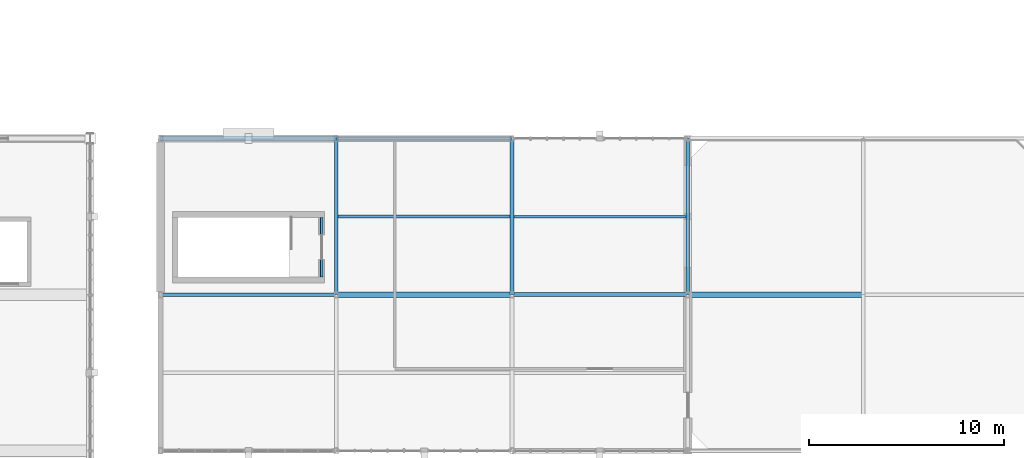
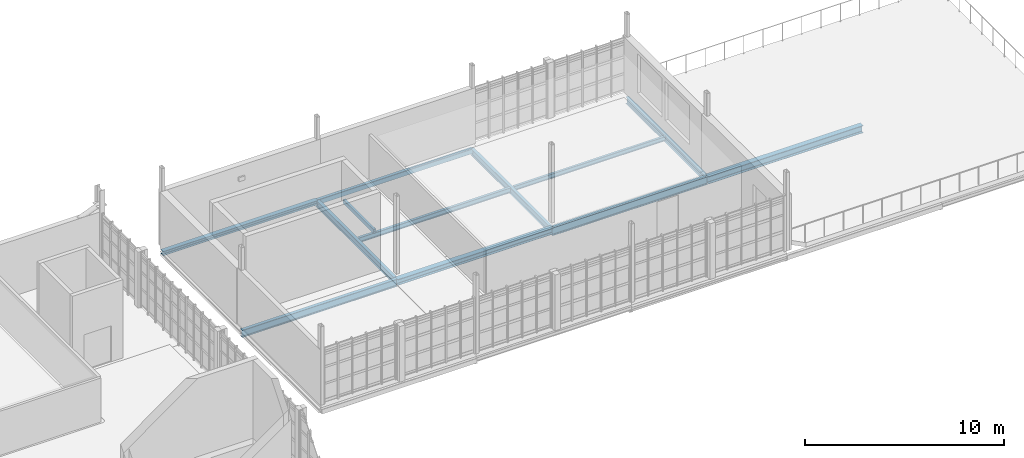
# One storey, part 28 of 128: 12 beams.
"""IFC4 building model written with IfcOpenShell, lengths in metres."""

from ifc_helpers import new_model, si_unit, direction, frame, origin, origin_2d, place, context, subcontext, project, spatial, hollow_rectangle, i_section, extrude, material, material_profile, profile_set, type_object, element, save


model = new_model("IFC4")

# Units and contexts
model_context = context("Model", 3, precision=1e-05, world=origin(), true_north=direction((0.0, 1.0)))
body_context = subcontext(model_context, "Body", "Model", "MODEL_VIEW")
ifc_project = project(units=[si_unit("LENGTHUNIT", "METRE"), si_unit("AREAUNIT", "SQUARE_METRE"), si_unit("VOLUMEUNIT", "CUBIC_METRE"), si_unit("PLANEANGLEUNIT", "RADIAN"), si_unit("MASSUNIT", "GRAM", prefix="KILO")], contexts=[model_context])

# Site, building, storey
site_placement = place(None, origin())
site = spatial("IfcSite", under=ifc_project, at=site_placement, CompositionType="ELEMENT")
building_placement = place(site_placement, origin())
building = spatial("IfcBuilding", under=site, at=building_placement, Name="Serraforn Aerial Cableway Station", CompositionType="ELEMENT")
storey_placement = place(building_placement, frame((0.0, 0.0, 9.0)))
storey = spatial("IfcBuildingStorey", under=building, at=storey_placement, Name="L02", CompositionType="ELEMENT", Elevation=9.0)

# Beams
ifc_material_1 = material(Name="Steel S355JR", Category="steel")
ifc_material_profile_1 = material_profile(ifc_material_1, i_section(OverallWidth=0.300048828125, OverallDepth=0.449951171875, WebThickness=0.011474609375, FlangeThickness=0.02099609375, FilletRadius=0.027099609375, at=origin_2d()), Name="HEA 450")
ifc_profile_set_1 = profile_set([ifc_material_profile_1], Name="Steel S355JR")
beam_type_1 = type_object("IfcBeamType", Name="BM-ST-HEA450", PredefinedType="USERDEFINED", material=ifc_profile_set_1)
beam_1_placement = place(storey_placement, frame((121.199951171875, 34.0, -0.544921875), z_axis=(1.0, 0.0, 0.0), x_axis=(0.0, 1.0, 0.0)))
element("IfcBeam", 1, at=beam_1_placement, inside=storey, type_object=beam_type_1, Name="Grid Girder X EL L02 Y2-4", ObjectType="GIRDER", PredefinedType="USERDEFINED", context=body_context, shape_type="SweptSolid", body=[
    extrude(i_section(OverallWidth=0.300048828125, OverallDepth=0.449951171875, WebThickness=0.011474609375, FlangeThickness=0.02099609375, FilletRadius=0.027099609375, at=origin_2d()), origin(), (0.0, 0.0, 1.0), 9.0),
])
ifc_material_2 = material(Name="Steel S355J2", Category="steel")
ifc_material_profile_2 = material_profile(ifc_material_2, i_section(OverallWidth=0.260009765625, OverallDepth=0.260009765625, WebThickness=0.010009765625, FlangeThickness=0.017578125, FilletRadius=0.02392578125, at=origin_2d()), Name="HEB 260")
ifc_profile_set_2 = profile_set([ifc_material_profile_2], Name="Steel S355J2")
beam_type_2 = type_object("IfcBeamType", Name="BM-ST-HEB260", PredefinedType="BEAM", material=ifc_profile_set_2)
beam_2_placement = place(storey_placement, frame((94.199951171875, 42.0, -0.449951171875), z_axis=(1.0, 0.0, 0.0), x_axis=(0.0, 1.0, 0.0)))
element("IfcBeam", 2, at=beam_2_placement, inside=storey, type_object=beam_type_2, Name="Grid Girder X EL L02 Y3-1", PredefinedType="BEAM", context=body_context, shape_type="SweptSolid", body=[
    extrude(i_section(OverallWidth=0.260009765625, OverallDepth=0.260009765625, WebThickness=0.010009765625, FlangeThickness=0.017578125, FilletRadius=0.02392578125, at=origin_2d()), origin(), (0.0, 0.0, 1.0), 9.0),
])
ifc_material_profile_3 = material_profile(ifc_material_2, i_section(OverallWidth=0.300048828125, OverallDepth=0.360107421875, WebThickness=0.012451171875, FlangeThickness=0.0224609375, FilletRadius=0.027099609375, at=origin_2d()), Name="HEB 360")
ifc_profile_set_3 = profile_set([ifc_material_profile_3], Name="Steel S355J2")
beam_type_3 = type_object("IfcBeamType", Name="BM-ST-HEB360", PredefinedType="USERDEFINED", material=ifc_profile_set_3)
beam_3_placement = place(storey_placement, frame((103.199951171875, 34.0, -0.5), z_axis=(1.0, 0.0, 0.0), x_axis=(0.0, 1.0, 0.0)))
element("IfcBeam", 3, at=beam_3_placement, inside=storey, type_object=beam_type_3, Name="Grid Girder X EL L02 Y2-2", ObjectType="GIRDER", PredefinedType="USERDEFINED", context=body_context, shape_type="SweptSolid", body=[
    extrude(i_section(OverallWidth=0.300048828125, OverallDepth=0.360107421875, WebThickness=0.012451171875, FlangeThickness=0.0224609375, FilletRadius=0.027099609375, at=origin_2d()), origin(), (0.0, 0.0, 1.0), 9.0),
])
ifc_material_profile_4 = material_profile(ifc_material_1, i_section(OverallWidth=0.135009765625, OverallDepth=0.27001953125, WebThickness=0.006591796875, FlangeThickness=0.01025390625, FilletRadius=0.014892578125, at=origin_2d()), Name="IPE 270")
ifc_profile_set_4 = profile_set([ifc_material_profile_4], Name="Steel S355JR")
beam_type_4 = type_object("IfcBeamType", Name="BM-ST-IPE270", PredefinedType="JOIST", material=ifc_profile_set_4)
beam_4_placement = place(storey_placement, frame((112.2900390625, 38.0, -0.409912109375), z_axis=(1.0, 0.0, 0.0), x_axis=(0.0, 1.0, 0.0)))
element("IfcBeam", 4, at=beam_4_placement, inside=storey, type_object=beam_type_4, Name="Floor Joist EL-L02-3-2-1", PredefinedType="JOIST", context=body_context, shape_type="SweptSolid", body=[
    extrude(i_section(OverallWidth=0.135009765625, OverallDepth=0.27001953125, WebThickness=0.006591796875, FlangeThickness=0.01025390625, FilletRadius=0.014892578125, at=origin_2d()), origin(), (0.0, 0.0, 1.0), 8.820068359375),
])
ifc_material_profile_5 = material_profile(ifc_material_1, i_section(OverallWidth=0.14990234375, OverallDepth=0.300048828125, WebThickness=0.007080078125, FlangeThickness=0.0107421875, FilletRadius=0.014892578125, at=origin_2d()), Name="IPE 300")
ifc_profile_set_5 = profile_set([ifc_material_profile_5], Name="Steel S355JR")
beam_type_5 = type_object("IfcBeamType", Name="BM-ST-IPE300", PredefinedType="JOIST", material=ifc_profile_set_5)
beam_5_placement = place(storey_placement, frame((103.2900390625, 38.0, -0.425048828125), z_axis=(1.0, 0.0, 0.0), x_axis=(0.0, 1.0, 0.0)))
element("IfcBeam", 5, at=beam_5_placement, inside=storey, type_object=beam_type_5, Name="Floor Joist EL-L02-2-2-1", PredefinedType="JOIST", context=body_context, shape_type="SweptSolid", body=[
    extrude(i_section(OverallWidth=0.14990234375, OverallDepth=0.300048828125, WebThickness=0.007080078125, FlangeThickness=0.0107421875, FilletRadius=0.014892578125, at=origin_2d()), origin(), (0.0, 0.0, 1.0), 8.820068359375),
])
ifc_material_profile_6 = material_profile(ifc_material_1, i_section(OverallWidth=0.179931640625, OverallDepth=0.39990234375, WebThickness=0.008544921875, FlangeThickness=0.013427734375, FilletRadius=0.02099609375, at=origin_2d()), Name="IPE 400")
ifc_profile_set_6 = profile_set([ifc_material_profile_6], Name="Steel S355JR")
beam_type_6 = type_object("IfcBeamType", Name="BM-ST-IPE400", PredefinedType="BEAM", material=ifc_profile_set_6)
for number, where, z_axis, x_axis, name in (
    (6, (103.199951171875, 34.0, -0.52001953125), (0.0, 1.0, 0.0), (-1.0, 0.0, 0.0), "Grid Girder Y EL L02 X2-2"),
    (7, (112.199951171875, 34.0, -0.52001953125), (0.0, 1.0, 0.0), (-1.0, 0.0, 0.0), "Grid Girder Y EL L02 X3-2"),
    (8, (121.199951171875, 34.0, -0.52001953125), (0.0, 1.0, 0.0), (-1.0, 0.0, 0.0), "Grid Girder Y EL L02 X4-2"),
):
    element("IfcBeam", number, at=place(storey_placement, frame(where, z_axis=z_axis, x_axis=x_axis)), inside=storey, type_object=beam_type_6, Name=name, PredefinedType="BEAM", context=body_context, shape_type="SweptSolid", body=[
        extrude(i_section(OverallWidth=0.179931640625, OverallDepth=0.39990234375, WebThickness=0.008544921875, FlangeThickness=0.013427734375, FilletRadius=0.02099609375, at=origin_2d()), origin(), (0.0, 0.0, 1.0), 8.0),
    ])
ifc_material_profile_7 = material_profile(ifc_material_1, i_section(OverallWidth=0.18994140625, OverallDepth=0.449951171875, WebThickness=0.009521484375, FlangeThickness=0.0146484375, FilletRadius=0.02099609375, at=origin_2d()), Name="IPE 450")
ifc_profile_set_7 = profile_set([ifc_material_profile_7], Name="Steel S355JR")
beam_type_7 = type_object("IfcBeamType", Name="BM-ST-IPE450", PredefinedType="BEAM", material=ifc_profile_set_7)
beam_6_placement = place(storey_placement, frame((94.199951171875, 34.0, -0.544921875), z_axis=(1.0, 0.0, 0.0), x_axis=(0.0, 1.0, 0.0)))
element("IfcBeam", 9, at=beam_6_placement, inside=storey, type_object=beam_type_7, Name="Grid Girder X EL L02 Y2-1", PredefinedType="BEAM", context=body_context, shape_type="SweptSolid", body=[
    extrude(i_section(OverallWidth=0.18994140625, OverallDepth=0.449951171875, WebThickness=0.009521484375, FlangeThickness=0.0146484375, FilletRadius=0.02099609375, at=origin_2d()), origin(), (0.0, 0.0, 1.0), 9.0),
])
ifc_material_profile_8 = material_profile(ifc_material_1, i_section(OverallWidth=0.199951171875, OverallDepth=0.5, WebThickness=0.01025390625, FlangeThickness=0.01611328125, FilletRadius=0.02099609375, at=origin_2d()), Name="IPE 500")
ifc_profile_set_8 = profile_set([ifc_material_profile_8], Name="Steel S355JR")
beam_type_8 = type_object("IfcBeamType", Name="BM-ST-IPE500", PredefinedType="USERDEFINED", material=ifc_profile_set_8)
beam_7_placement = place(storey_placement, frame((112.199951171875, 34.0, -0.570068359375), z_axis=(1.0, 0.0, 0.0), x_axis=(0.0, 1.0, 0.0)))
element("IfcBeam", 10, at=beam_7_placement, inside=storey, type_object=beam_type_8, Name="Grid Girder X EL L02 Y2-3", ObjectType="GIRDER", PredefinedType="USERDEFINED", context=body_context, shape_type="SweptSolid", body=[
    extrude(i_section(OverallWidth=0.199951171875, OverallDepth=0.5, WebThickness=0.01025390625, FlangeThickness=0.01611328125, FilletRadius=0.02099609375, at=origin_2d()), origin(), (0.0, 0.0, 1.0), 9.0),
])
ifc_material_profile_9 = material_profile(ifc_material_2, hollow_rectangle(XDim=0.14990234375, YDim=0.25, WallThickness=0.010009765625, InnerFilletRadius=0.010009765625, OuterFilletRadius=0.02001953125, at=origin_2d()), Name="RHS 250x150x10.0")
ifc_profile_set_9 = profile_set([ifc_material_profile_9], Name="Steel S355J2")
beam_type_9 = type_object("IfcBeamType", Name="BM-ST-RHS250", PredefinedType="LINTEL", material=ifc_profile_set_9)
beam_8_placement = place(storey_placement, frame((102.449951171875, 37.9599609375, 2.27490234375), z_axis=(0.0, -1.0, 0.0), x_axis=(1.0, 0.0, 0.0)))
element("IfcBeam", 11, at=beam_8_placement, inside=storey, type_object=beam_type_9, Name="Stair Core Door Lintel D-S34", PredefinedType="LINTEL", context=body_context, shape_type="SweptSolid", body=[
    extrude(hollow_rectangle(XDim=0.14990234375, YDim=0.25, WallThickness=0.010009765625, InnerFilletRadius=0.010009765625, OuterFilletRadius=0.02001953125, at=origin_2d()), origin(), (0.0, 0.0, 1.0), 3.06005859375),
])
ifc_material_profile_10 = material_profile(ifc_material_2, hollow_rectangle(XDim=0.199951171875, YDim=0.300048828125, WallThickness=0.012451171875, InnerFilletRadius=0.012451171875, OuterFilletRadius=0.02490234375, at=origin_2d()), Name="RHS 300x200x12.5")
ifc_profile_set_10 = profile_set([ifc_material_profile_10], Name="Steel S355J2")
beam_type_10 = type_object("IfcBeamType", Name="BM-ST-RHS300", PredefinedType="SPANDREL", material=ifc_profile_set_10)
beam_9_placement = place(storey_placement, frame((103.199951171875, 42.0, -0.469970703125), z_axis=(1.0, 0.0, 0.0), x_axis=(0.0, 1.0, 0.0)))
element("IfcBeam", 12, at=beam_9_placement, inside=storey, type_object=beam_type_10, Name="Grid Girder X EL L02 Y3-2", PredefinedType="SPANDREL", context=body_context, shape_type="SweptSolid", body=[
    extrude(hollow_rectangle(XDim=0.199951171875, YDim=0.300048828125, WallThickness=0.012451171875, InnerFilletRadius=0.012451171875, OuterFilletRadius=0.02490234375, at=origin_2d()), origin(), (0.0, 0.0, 1.0), 9.0),
])

save(model, "model.ifc")
